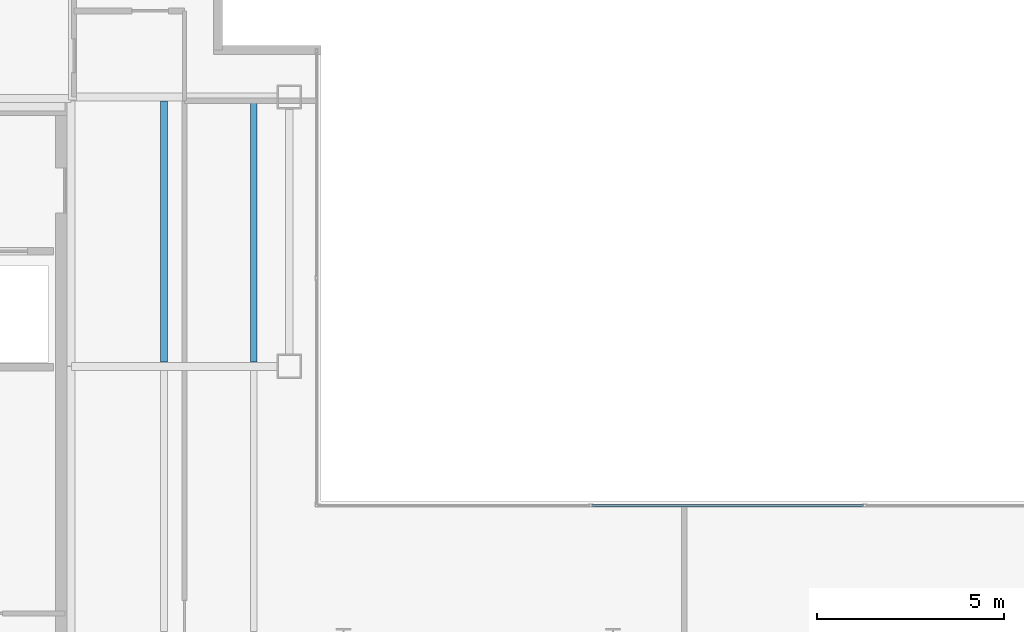
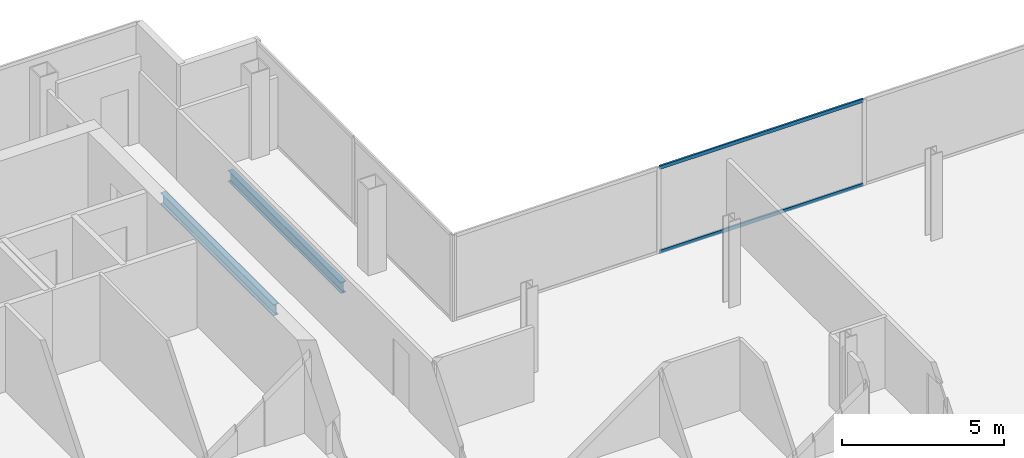
# One storey, part 10 of 23: 2 beams, 2 members, 1 element without a shape of its own.
"""IFC4 building model written with IfcOpenShell, lengths in metres."""

from ifc_helpers import new_model, si_unit, direction, frame, origin, origin_2d, place, context, subcontext, project, spatial, hollow_rectangle, i_section, extrude, material, material_profile, profile_set, type_object, element, aggregate, save


model = new_model("IFC4")

# Units and contexts
model_context = context("Model", 3, precision=1e-05, world=origin(), true_north=direction((0.0, 1.0)))
body_context = subcontext(model_context, "Body", "Model", "MODEL_VIEW")
ifc_project = project(units=[si_unit("LENGTHUNIT", "METRE"), si_unit("AREAUNIT", "SQUARE_METRE"), si_unit("VOLUMEUNIT", "CUBIC_METRE"), si_unit("PLANEANGLEUNIT", "RADIAN"), si_unit("MASSUNIT", "GRAM", prefix="KILO")], contexts=[model_context])

# Site, building, storey
site_placement = place(None, origin())
site = spatial("IfcSite", under=ifc_project, at=site_placement, CompositionType="ELEMENT")
building_placement = place(site_placement, origin())
building = spatial("IfcBuilding", under=site, at=building_placement, Name="Cobrela Telecom Tower", CompositionType="ELEMENT")
storey_placement = place(building_placement, frame((0.0, 0.0, 276.14990234375)))
storey = spatial("IfcBuildingStorey", under=building, at=storey_placement, Name="L72", CompositionType="ELEMENT", Elevation=276.14990234375)

# Beams
ifc_material_1 = material(Name="Steel ASTM A992 Grade 50", Category="steel")
ifc_material_profile_1 = material_profile(ifc_material_1, i_section(OverallWidth=0.179931640625, OverallDepth=0.4169921875, WebThickness=0.010986328125, FlangeThickness=0.01806640625, FilletRadius=0.011962890625, at=origin_2d()), Name="W16X57")
ifc_profile_set_1 = profile_set([ifc_material_profile_1], Name="Steel ASTM A992 Grade 50")
beam_type = type_object("IfcBeamType", Name="BM-JOIST-04", PredefinedType="JOIST", material=ifc_profile_set_1)
for number, where, z_axis, x_axis, name in (
    (1, (16.800048828125, 28.91162109375, -0.468505859375), (0.0, 1.0, 0.0), (-1.0, 0.0, 0.0), "L72 Secondary Composite Floor Beam J03"),
    (2, (19.199951171875, 28.91162109375, -0.468505859375), (0.0, 1.0, 0.0), (-1.0, 0.0, 0.0), "L72 Secondary Composite Floor Beam J06"),
):
    element("IfcBeam", number, at=place(storey_placement, frame(where, z_axis=z_axis, x_axis=x_axis)), inside=storey, type_object=beam_type, Name=name, PredefinedType="JOIST", context=body_context, shape_type="SweptSolid", body=[
        extrude(i_section(OverallWidth=0.179931640625, OverallDepth=0.4169921875, WebThickness=0.010986328125, FlangeThickness=0.01806640625, FilletRadius=0.011962890625, at=origin_2d()), origin(), (0.0, 0.0, 1.0), 6.976806640625),
    ])

# Curtain wall, members
ifc_material_2 = material(Name="Anodized Bronze Aluminium 6063-T6", Category="aluminium")
curtain_wall_type = type_object("IfcCurtainWallType", Name="CW-SYS-OFF-HI", PredefinedType="USERDEFINED", material=ifc_material_2)
curtain_wall_placement = place(storey_placement, origin())
curtain_wall = element("IfcCurtainWall", 3, at=curtain_wall_placement, inside=storey, type_object=curtain_wall_type, Name="L72 Unitised Bronze Curtain Wall 09", ObjectType="UNITISED CURTAIN WALL", PredefinedType="USERDEFINED")
ifc_material_profile_2 = material_profile(ifc_material_2, hollow_rectangle(XDim=0.06494140625, YDim=0.1298828125, WallThickness=0.00390625, at=origin_2d()), Name="ALU 65x130x4")
ifc_profile_set_2 = profile_set([ifc_material_profile_2], Name="Anodized Bronze Aluminium 6063-T6")
member_type = type_object("IfcMemberType", Name="CW-SYS-OFF-HI-TRN", PredefinedType="USERDEFINED", material=ifc_profile_set_2)
member_1_placement = place(storey_placement, frame((28.23828125, 25.080078125, 0.03271484375), z_axis=(1.0, 0.0, 0.0), x_axis=(0.0, 1.0, 0.0)))
member_1 = element("IfcMember", 4, at=member_1_placement, type_object=member_type, Name="CW-OFF-HI transom 2.1", ObjectType="TRANSOM", PredefinedType="USERDEFINED", context=body_context, shape_type="SweptSolid", body=[
    extrude(hollow_rectangle(XDim=0.06494140625, YDim=0.1298828125, WallThickness=0.00390625, at=origin_2d()), origin(), (0.0, 0.0, 1.0), 7.25341796875),
])
member_2_placement = place(storey_placement, frame((28.23828125, 25.080078125, 3.20751953125), z_axis=(1.0, 0.0, 0.0), x_axis=(0.0, 1.0, 0.0)))
member_2 = element("IfcMember", 5, at=member_2_placement, type_object=member_type, Name="CW-OFF-HI transom 2.2", ObjectType="TRANSOM", PredefinedType="USERDEFINED", context=body_context, shape_type="SweptSolid", body=[
    extrude(hollow_rectangle(XDim=0.06494140625, YDim=0.1298828125, WallThickness=0.00390625, at=origin_2d()), origin(), (0.0, 0.0, 1.0), 7.25341796875),
])
aggregate(curtain_wall, [member_1, member_2])

save(model, "model.ifc")
